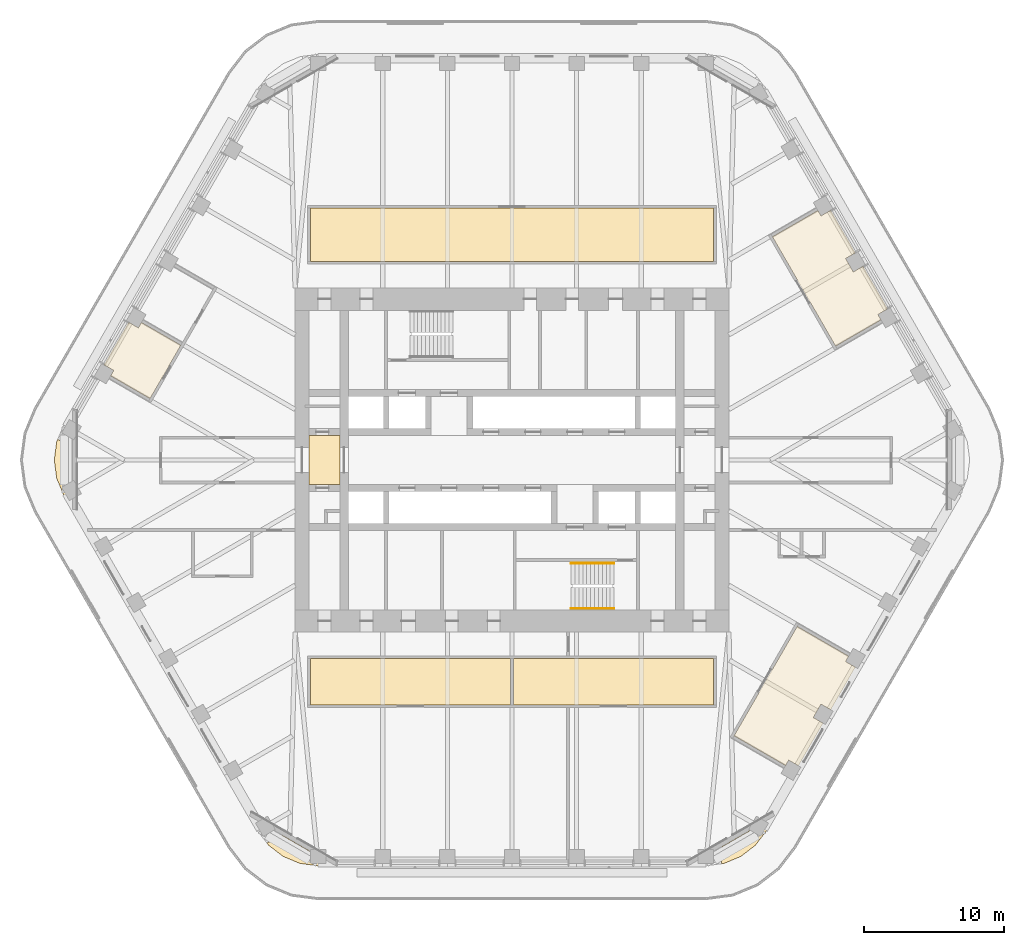
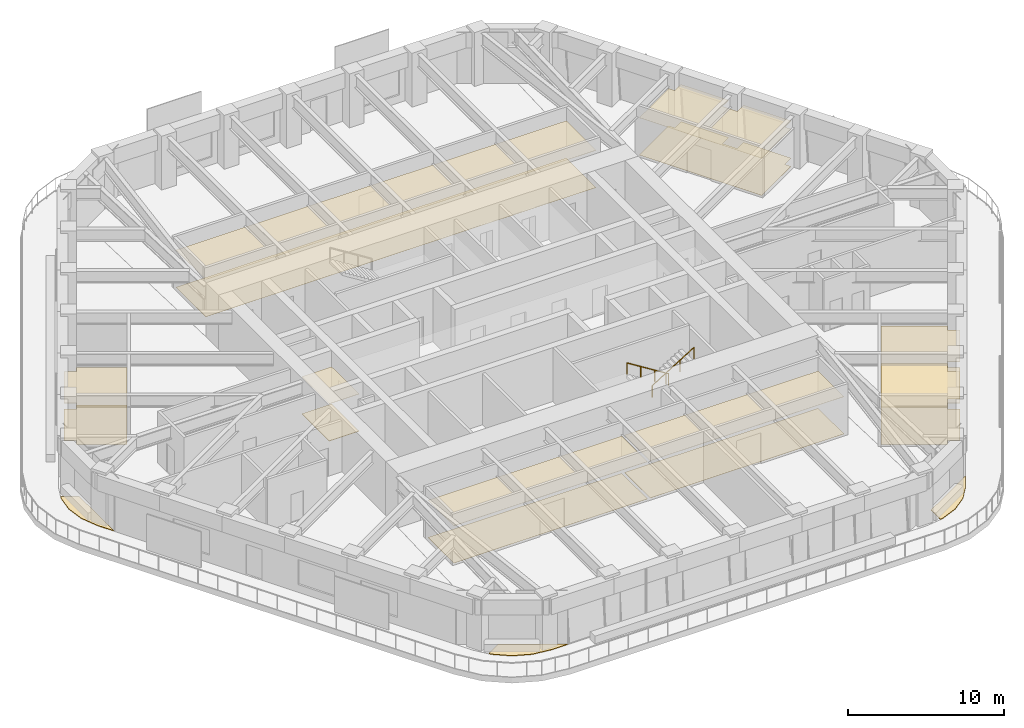
# One storey, part 18 of 20: 7 coverings, 2 railings.
"""IFC4 building model written with IfcOpenShell, lengths in metres."""

from ifc_helpers import new_model, si_unit, direction, frame, origin, origin_2d, place, context, subcontext, project, spatial, polyline, circle, outline, extrude, material, layer, layer_set, type_object, element, save


model = new_model("IFC4")

# Units and contexts
model_context = context("Model", 3, precision=1e-05, world=origin(), true_north=direction((0.0, 1.0)))
body_context = subcontext(model_context, "Body", "Model", "MODEL_VIEW")
ifc_project = project(units=[si_unit("LENGTHUNIT", "METRE"), si_unit("AREAUNIT", "SQUARE_METRE"), si_unit("VOLUMEUNIT", "CUBIC_METRE"), si_unit("PLANEANGLEUNIT", "RADIAN"), si_unit("MASSUNIT", "GRAM", prefix="KILO")], contexts=[model_context])

# Site, building, storey
site_placement = place(None, origin())
site = spatial("IfcSite", under=ifc_project, at=site_placement, CompositionType="ELEMENT")
building_placement = place(site_placement, origin())
building = spatial("IfcBuilding", under=site, at=building_placement, Name="Tarfa Lantern Tower", CompositionType="ELEMENT")
storey_placement = place(building_placement, frame((0.0, 0.0, 286.89990234375)))
storey = spatial("IfcBuildingStorey", under=building, at=storey_placement, Name="L65", CompositionType="ELEMENT", Elevation=286.89990234375)

# Coverings
ifc_material_1 = material(Name="Mineral fibre acoustic tile on suspension grid", Category="finish")
ifc_layer_1 = layer(ifc_material_1, 0.02001953125)
ifc_layer_set_1 = layer_set([ifc_layer_1], Name="CL1 ACOUSTIC TILE CEILING 20")
covering_type_1 = type_object("IfcCoveringType", Name="CL1 ACOUSTIC TILE CEILING 20", PredefinedType="CEILING", material=ifc_layer_set_1)
covering_1_placement = place(storey_placement, frame((0.0, 0.0, 2.900146484375)))
element("IfcCovering", 1, at=covering_1_placement, inside=storey, type_object=covering_type_1, Name="Ceiling L65 CL1", PredefinedType="CEILING", context=body_context, shape_type="SweptSolid", body=[
    extrude(outline(polyline([(-14.39990234375, 18.0), (14.39990234375, 18.0), (14.39990234375, 14.199951171875), (-14.39990234375, 14.199951171875), (-14.39990234375, 18.0)])), origin(), (0.0, 0.0, 1.0), 0.02001953125),
    extrude(outline(polyline([(18.61181640625, 15.96337890625), (21.859375, 17.83837890625), (22.08447265625, 17.44873046875), (22.77734375, 17.8486328125), (24.53662109375, 14.80126953125), (23.84375, 14.4013671875), (24.393798828125, 13.44873046875), (25.086669921875, 13.8486328125), (26.845947265625, 10.80126953125), (26.1533203125, 10.4013671875), (26.378173828125, 10.01171875), (23.130615234375, 8.13671875), (18.61181640625, 15.96337890625)])), origin(), (0.0, 0.0, 1.0), 0.02001953125),
    extrude(outline(polyline([(-25.873046875, 4.38671875), (-28.6875, 6.01171875), (-28.462646484375, 6.4013671875), (-29.155517578125, 6.80126953125), (-27.39599609375, 9.8486328125), (-26.703125, 9.44873046875), (-26.478271484375, 9.83837890625), (-23.66357421875, 8.21337890625), (-25.873046875, 4.38671875)])), origin(), (0.0, 0.0, 1.0), 0.02001953125),
    extrude(outline(polyline([(20.38818359375, -11.88671875), (24.06884765625, -14.01171875), (23.84375, -14.4013671875), (24.53662109375, -14.80126953125), (22.77734375, -17.8486328125), (22.08447265625, -17.44873046875), (21.534423828125, -18.4013671875), (22.227294921875, -18.80126953125), (20.4677734375, -21.8486328125), (19.77490234375, -21.44873046875), (19.550048828125, -21.83837890625), (15.869384765625, -19.71337890625), (20.38818359375, -11.88671875)])), origin(), (0.0, 0.0, 1.0), 0.02001953125),
    extrude(outline(polyline([(0.10009765625, -14.199951171875), (14.39990234375, -14.199951171875), (14.39990234375, -17.5), (0.10009765625, -17.5), (0.10009765625, -14.199951171875)])), origin(), (0.0, 0.0, 1.0), 0.02001953125),
    extrude(outline(polyline([(-14.39990234375, -14.199951171875), (-0.10009765625, -14.199951171875), (-0.10009765625, -17.5), (-14.39990234375, -17.5), (-14.39990234375, -14.199951171875)])), origin(), (0.0, 0.0, 1.0), 0.02001953125),
])
ifc_material_2 = material(Name="Powder-coated aluminium panel", Category="aluminium")
ifc_layer_2 = layer(ifc_material_2, 0.030029296875)
ifc_layer_set_2 = layer_set([ifc_layer_2], Name="CL3 METAL PANEL CEILING 30")
covering_type_2 = type_object("IfcCoveringType", Name="CL3 METAL PANEL CEILING 30", PredefinedType="CEILING", material=ifc_layer_set_2)
covering_2_placement = place(storey_placement, frame((0.0, 0.0, 2.900146484375)))
element("IfcCovering", 2, at=covering_2_placement, inside=storey, type_object=covering_type_2, Name="Ceiling L65-01", PredefinedType="CEILING", context=body_context, shape_type="SweptSolid", body=[
    extrude(outline(polyline([(-14.5, -1.75), (-12.300048828125, -1.75), (-12.300048828125, 1.75), (-14.5, 1.75), (-14.5, -1.75)])), origin(), (0.0, 0.0, 1.0), 0.030029296875),
])
ifc_material_3 = material(Name="Nylon carpet tile", Category="finish")
ifc_layer_3 = layer(ifc_material_3, 0.010009765625)
ifc_layer_set_3 = layer_set([ifc_layer_3], Name="FL1 CARPET TILE 10")
covering_type_3 = type_object("IfcCoveringType", Name="FL1 CARPET TILE 10", PredefinedType="FLOORING", material=ifc_layer_set_3)
covering_3_placement = place(storey_placement, origin())
element("IfcCovering", 3, at=covering_3_placement, inside=storey, type_object=covering_type_3, Name="Floor finish L65 FL1", PredefinedType="FLOORING", context=body_context, shape_type="SweptSolid", body=[
    extrude(outline(polyline([(-14.39990234375, 18.0), (14.39990234375, 18.0), (14.39990234375, 14.199951171875), (-14.39990234375, 14.199951171875), (-14.39990234375, 18.0)])), origin(), (0.0, 0.0, 1.0), 0.010009765625),
    extrude(outline(polyline([(18.61181640625, 15.96337890625), (21.859375, 17.83837890625), (22.08447265625, 17.44873046875), (22.77734375, 17.8486328125), (24.53662109375, 14.80126953125), (23.84375, 14.4013671875), (24.393798828125, 13.44873046875), (25.086669921875, 13.8486328125), (26.845947265625, 10.80126953125), (26.1533203125, 10.4013671875), (26.378173828125, 10.01171875), (23.130615234375, 8.13671875), (18.61181640625, 15.96337890625)])), origin(), (0.0, 0.0, 1.0), 0.010009765625),
    extrude(outline(polyline([(-25.873046875, 4.38671875), (-28.6875, 6.01171875), (-28.462646484375, 6.4013671875), (-29.155517578125, 6.80126953125), (-27.39599609375, 9.8486328125), (-26.703125, 9.44873046875), (-26.478271484375, 9.83837890625), (-23.66357421875, 8.21337890625), (-25.873046875, 4.38671875)])), origin(), (0.0, 0.0, 1.0), 0.010009765625),
    extrude(outline(polyline([(20.38818359375, -11.88671875), (24.06884765625, -14.01171875), (23.84375, -14.4013671875), (24.53662109375, -14.80126953125), (22.77734375, -17.8486328125), (22.08447265625, -17.44873046875), (21.534423828125, -18.4013671875), (22.227294921875, -18.80126953125), (20.4677734375, -21.8486328125), (19.77490234375, -21.44873046875), (19.550048828125, -21.83837890625), (15.869384765625, -19.71337890625), (20.38818359375, -11.88671875)])), origin(), (0.0, 0.0, 1.0), 0.010009765625),
    extrude(outline(polyline([(0.10009765625, -14.199951171875), (14.39990234375, -14.199951171875), (14.39990234375, -17.5), (0.10009765625, -17.5), (0.10009765625, -14.199951171875)])), origin(), (0.0, 0.0, 1.0), 0.010009765625),
    extrude(outline(polyline([(-14.39990234375, -14.199951171875), (-0.10009765625, -14.199951171875), (-0.10009765625, -17.5), (-14.39990234375, -17.5), (-14.39990234375, -14.199951171875)])), origin(), (0.0, 0.0, 1.0), 0.010009765625),
])
ifc_material_4 = material(Name="Honed limestone flooring", Category="masonry")
ifc_layer_4 = layer(ifc_material_4, 0.030029296875)
ifc_layer_set_4 = layer_set([ifc_layer_4], Name="FL2 STONE FLOORING 30")
covering_type_4 = type_object("IfcCoveringType", Name="FL2 STONE FLOORING 30", PredefinedType="FLOORING", material=ifc_layer_set_4)
covering_4_placement = place(storey_placement, origin())
element("IfcCovering", 4, at=covering_4_placement, inside=storey, type_object=covering_type_4, Name="Floor finish L65-01", PredefinedType="FLOORING", context=body_context, shape_type="SweptSolid", body=[
    extrude(outline(polyline([(-14.5, -1.75), (-12.300048828125, -1.75), (-12.300048828125, 1.75), (-14.5, 1.75), (-14.5, -1.75)])), origin(), (0.0, 0.0, 1.0), 0.030029296875),
])

# Railings
ifc_material_5 = material(Name="Stainless steel", Category="steel")
railing_type = type_object("IfcRailingType", Name="HR1 HANDRAIL 900", PredefinedType="HANDRAIL", material=ifc_material_5)
railing_1_placement = place(storey_placement, frame((7.300048828125, -7.3798828125, 0.175048828125)))
element("IfcRailing", 5, at=railing_1_placement, inside=storey, type_object=railing_type, Name="Handrail 1", PredefinedType="HANDRAIL", context=body_context, shape_type="SweptSolid", body=[
    extrude(circle(Radius=0.02392578125, at=origin_2d()), frame((0.0, 0.0, 0.8759765625), z_axis=(-0.847998304005, 0.0, 0.529998940003), x_axis=(0.0, -1.0, 0.0)), (0.0, 0.0, 1.0), 3.632080078125),
    extrude(circle(Radius=0.02099609375, at=origin_2d()), frame((0.0, 0.0, 0.0), z_axis=(0.0, 0.0, 1.0), x_axis=(0.0, -1.0, 0.0)), (0.0, 0.0, 1.0), 0.851806640625),
    extrude(circle(Radius=0.02099609375, at=origin_2d()), frame((-1.026611328125, 0.0, 0.6416015625), z_axis=(0.0, 0.0, 1.0), x_axis=(0.0, -1.0, 0.0)), (0.0, 0.0, 1.0), 0.851806640625),
    extrude(circle(Radius=0.02099609375, at=origin_2d()), frame((-2.053466796875, 0.0, 1.283447265625), z_axis=(0.0, 0.0, 1.0), x_axis=(0.0, -1.0, 0.0)), (0.0, 0.0, 1.0), 0.851806640625),
    extrude(circle(Radius=0.02099609375, at=origin_2d()), frame((-3.080078125, 0.0, 1.925048828125), z_axis=(0.0, 0.0, 1.0), x_axis=(0.0, -1.0, 0.0)), (0.0, 0.0, 1.0), 0.851806640625),
])
railing_2_placement = place(storey_placement, frame((4.219970703125, -10.6201171875, 2.275146484375)))
element("IfcRailing", 6, at=railing_2_placement, inside=storey, type_object=railing_type, Name="Handrail 2", PredefinedType="HANDRAIL", context=body_context, shape_type="SweptSolid", body=[
    extrude(circle(Radius=0.02392578125, at=origin_2d()), frame((0.0, 0.0, 0.8759765625), z_axis=(0.847998304005, 0.0, 0.529998940003), x_axis=(0.0, 1.0, 0.0)), (0.0, 0.0, 1.0), 3.632080078125),
    extrude(circle(Radius=0.02099609375, at=origin_2d()), frame((0.0, 0.0, 0.0), z_axis=(0.0, 0.0, 1.0), x_axis=(0.0, 1.0, 0.0)), (0.0, 0.0, 1.0), 0.851806640625),
    extrude(circle(Radius=0.02099609375, at=origin_2d()), frame((1.026611328125, 0.0, 0.6416015625), z_axis=(0.0, 0.0, 1.0), x_axis=(0.0, 1.0, 0.0)), (0.0, 0.0, 1.0), 0.851806640625),
    extrude(circle(Radius=0.02099609375, at=origin_2d()), frame((2.053466796875, 0.0, 1.283447265625), z_axis=(0.0, 0.0, 1.0), x_axis=(0.0, 1.0, 0.0)), (0.0, 0.0, 1.0), 0.851806640625),
    extrude(circle(Radius=0.02099609375, at=origin_2d()), frame((3.080078125, 0.0, 1.925048828125), z_axis=(0.0, 0.0, 1.0), x_axis=(0.0, 1.0, 0.0)), (0.0, 0.0, 1.0), 0.851806640625),
])

# Coverings
ifc_material_6 = material(Name="Porcelain pavers on pedestals", Category="ceramic")
ifc_layer_5 = layer(ifc_material_6, 0.0400390625)
ifc_layer_set_5 = layer_set([ifc_layer_5], Name="LP1 LOGGIA PAVING 40")
covering_type_5 = type_object("IfcCoveringType", Name="LP1 LOGGIA PAVING 40", PredefinedType="FLOORING", material=ifc_layer_set_5)
covering_5_placement = place(storey_placement, origin())
element("IfcCovering", 7, at=covering_5_placement, inside=storey, type_object=covering_type_5, Name="Sky garden paving NW-SW", PredefinedType="FLOORING", context=body_context, shape_type="SweptSolid", body=[
    extrude(outline(polyline([(-32.54248046875, -1.294189453125), (-32.712890625, 0.0), (-32.54248046875, 1.294189453125), (-32.467529296875, 1.474853515625), (-31.43310546875, 0.877685546875), (-31.43310546875, -3.55078125), (-31.436279296875, -3.55078125), (-32.04296875, -2.5), (-32.54248046875, -1.294189453125)])), origin(), (0.0, 0.0, 1.0), 0.0400390625),
])
covering_6_placement = place(storey_placement, origin())
element("IfcCovering", 8, at=covering_6_placement, inside=storey, type_object=covering_type_5, Name="Sky garden paving SW-S", PredefinedType="FLOORING", context=body_context, shape_type="SweptSolid", body=[
    extrude(outline(polyline([(-15.150390625, -28.82958984375), (-16.3564453125, -28.330078125), (-17.391845703125, -27.53564453125), (-17.51123046875, -27.380126953125), (-16.4765625, -26.782958984375), (-12.641357421875, -28.997314453125), (-12.64306640625, -29.0), (-13.8564453125, -29.0), (-15.150390625, -28.82958984375)])), origin(), (0.0, 0.0, 1.0), 0.0400390625),
])
covering_7_placement = place(storey_placement, origin())
element("IfcCovering", 9, at=covering_7_placement, inside=storey, type_object=covering_type_5, Name="Sky garden paving S-SE", PredefinedType="FLOORING", context=body_context, shape_type="SweptSolid", body=[
    extrude(outline(polyline([(17.391845703125, -27.53564453125), (16.3564453125, -28.330078125), (15.150390625, -28.82958984375), (14.956298828125, -28.855224609375), (14.956298828125, -27.66064453125), (18.791748046875, -25.4462890625), (18.793212890625, -25.44921875), (18.1865234375, -26.5), (17.391845703125, -27.53564453125)])), origin(), (0.0, 0.0, 1.0), 0.0400390625),
])

save(model, "model.ifc")
